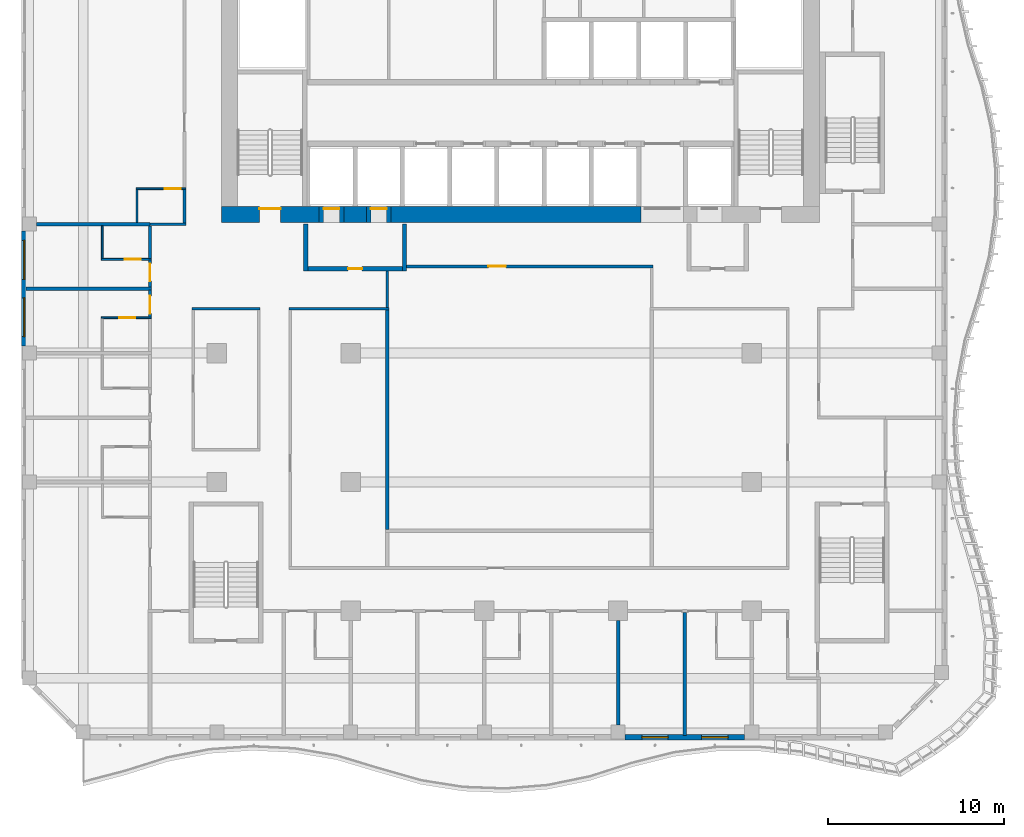
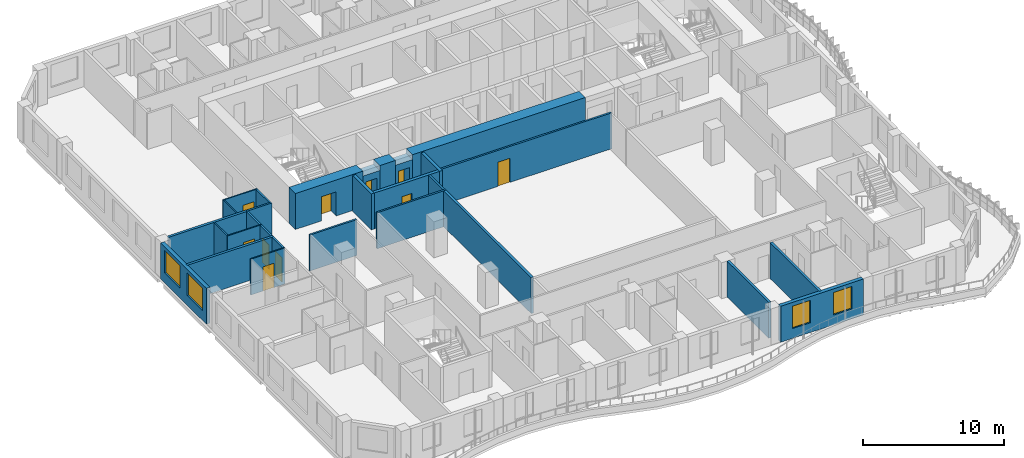
# One storey, part 4 of 23: 29 walls, 10 doors, 4 windows, 14 openings.
"""IFC4 building model written with IfcOpenShell, lengths in metres."""

from ifc_helpers import new_model, si_unit, direction, frame, frame_2d, origin, place, context, subcontext, project, spatial, rectangle, extrude, source, transform, mapped, material, layer, layer_set, type_object, element, fill, save


model = new_model("IFC4")

# Units and contexts
model_context = context("Model", 3, precision=1e-05, world=origin(), true_north=direction((0.0, 1.0)))
body_context = subcontext(model_context, "Body", "Model", "MODEL_VIEW")
ifc_project = project(units=[si_unit("LENGTHUNIT", "METRE"), si_unit("AREAUNIT", "SQUARE_METRE"), si_unit("VOLUMEUNIT", "CUBIC_METRE"), si_unit("PLANEANGLEUNIT", "RADIAN"), si_unit("MASSUNIT", "GRAM", prefix="KILO")], contexts=[model_context])

# Site, building, storey
site_placement = place(None, origin())
site = spatial("IfcSite", under=ifc_project, at=site_placement, CompositionType="ELEMENT")
building_placement = place(site_placement, origin())
building = spatial("IfcBuilding", under=site, at=building_placement, Name="Kilnfold Tower and Market Hall", CompositionType="ELEMENT")
storey_placement = place(building_placement, frame((0.0, 0.0, 150.699951171875)))
storey = spatial("IfcBuildingStorey", under=building, at=storey_placement, Name="L34", CompositionType="ELEMENT", Elevation=150.699951171875)

# Wall, opening, door
ifc_material_1 = material(Name="Gypsum board on steel studs", Category="steel")
ifc_layer_1 = layer(ifc_material_1, 0.14990234375)
ifc_layer_set_1 = layer_set([ifc_layer_1], Name="Gypsum board on steel studs")
wall_type_1 = type_object("IfcWallType", Name="WALL CORRIDOR 150", PredefinedType="PARTITIONING", material=ifc_layer_set_1)
wall_1_placement = place(storey_placement, frame((-19.958984375, 2.72802734375, 0.0), z_axis=(0.0, 0.0, 1.0), x_axis=(0.0, 1.0, 0.0)))
wall_1 = element("IfcWall", 1, at=wall_1_placement, inside=storey, type_object=wall_type_1, Name="Partition LY22.16", PredefinedType="PARTITIONING", context=body_context, shape_type="SweptSolid", body=[
    extrude(rectangle(XDim=1.52587890625, YDim=0.14990234375, at=frame_2d((0.762939453125, 0.0))), origin(), (0.0, 0.0, 1.0), 3.1201171875),
])
opening_1_placement = place(wall_1_placement, frame((0.199951171875, 0.0, 0.0)))
opening_1 = element("IfcOpeningElement", 2, at=opening_1_placement, cuts=wall_1, Name="Opening D1", PredefinedType="OPENING", context=body_context, shape_type="SweptSolid", body=[
    extrude(rectangle(XDim=1.0, YDim=2.10009765625, at=frame_2d((0.5, 1.050048828125))), frame((0.0, 0.0849609375, 0.0), z_axis=(0.0, -1.0, 0.0), x_axis=(1.0, 0.0, 0.0)), (0.0, 0.0, 1.0), 0.169921875),
])
ifc_material_2 = material(Name="Timber veneer door leaf in steel frame", Category="steel")
door_type_1 = type_object("IfcDoorType", Name="DOOR ENTRY 1000 X2100", OperationType="NOTDEFINED", PredefinedType="DOOR", material=ifc_material_2)
door_1_placement = place(opening_1_placement, origin())
door_1 = element("IfcDoor", 3, at=door_1_placement, inside=storey, type_object=door_type_1, Name="Door D1", OperationType="SINGLE_SWING_RIGHT", OverallHeight=2.10009765625, OverallWidth=1.0, PredefinedType="DOOR", context=body_context, shape_type="SweptSolid", body=[
    extrude(rectangle(XDim=1.0, YDim=2.10009765625, at=frame_2d((0.5, 1.050048828125))), frame((0.0, 0.02490234375, 0.0), z_axis=(0.0, -1.0, 0.0), x_axis=(1.0, 0.0, 0.0)), (0.0, 0.0, 1.0), 0.050048828125),
])
fill(opening_1, door_1)

wall_2_placement = place(storey_placement, frame((-19.958984375, 4.43408203125, 0.0), z_axis=(0.0, 0.0, 1.0), x_axis=(0.0, 1.0, 0.0)))
wall_2 = element("IfcWall", 4, at=wall_2_placement, inside=storey, type_object=wall_type_1, Name="Partition LY22.18", PredefinedType="PARTITIONING", context=body_context, shape_type="SweptSolid", body=[
    extrude(rectangle(XDim=1.52587890625, YDim=0.14990234375, at=frame_2d((0.762939453125, 0.0))), origin(), (0.0, 0.0, 1.0), 3.1201171875),
])
opening_2_placement = place(wall_2_placement, frame((0.325927734375, 0.0, 0.0)))
opening_2 = element("IfcOpeningElement", 5, at=opening_2_placement, cuts=wall_2, Name="Opening D1", PredefinedType="OPENING", context=body_context, shape_type="SweptSolid", body=[
    extrude(rectangle(XDim=1.0, YDim=2.10009765625, at=frame_2d((0.5, 1.050048828125))), frame((0.0, 0.0849609375, 0.0), z_axis=(0.0, -1.0, 0.0), x_axis=(1.0, 0.0, 0.0)), (0.0, 0.0, 1.0), 0.169921875),
])
door_2_placement = place(opening_2_placement, origin())
door_2 = element("IfcDoor", 6, at=door_2_placement, inside=storey, type_object=door_type_1, Name="Door D1", OperationType="SINGLE_SWING_LEFT", OverallHeight=2.10009765625, OverallWidth=1.0, PredefinedType="DOOR", context=body_context, shape_type="SweptSolid", body=[
    extrude(rectangle(XDim=1.0, YDim=2.10009765625, at=frame_2d((0.5, 1.050048828125))), frame((0.0, 0.02490234375, 0.0), z_axis=(0.0, -1.0, 0.0), x_axis=(1.0, 0.0, 0.0)), (0.0, 0.0, 1.0), 0.050048828125),
])
fill(opening_2, door_2)

# Walls
wall_3_placement = place(storey_placement, frame((-19.958984375, 6.0400390625, 0.0), z_axis=(0.0, 0.0, 1.0), x_axis=(0.0, 1.0, 0.0)))
element("IfcWall", 7, at=wall_3_placement, inside=storey, type_object=wall_type_1, Name="Partition LY22.19", PredefinedType="PARTITIONING", context=body_context, shape_type="SweptSolid", body=[
    extrude(rectangle(XDim=1.85986328125, YDim=0.14990234375, at=frame_2d((0.929931640625, 0.0))), origin(), (0.0, 0.0, 1.0), 3.1201171875),
])
wall_4_placement = place(storey_placement, frame((-17.925048828125, 8.0, 0.0), z_axis=(0.0, 0.0, 1.0), x_axis=(-1.0, 0.0, 0.0)))
element("IfcWall", 8, at=wall_4_placement, inside=storey, type_object=wall_type_1, Name="Partition LY22.23", PredefinedType="PARTITIONING", context=body_context, shape_type="SweptSolid", body=[
    extrude(rectangle(XDim=2.033935546875, YDim=0.14990234375, at=frame_2d((1.01708984375, 0.0))), origin(), (0.0, 0.0, 1.0), 3.1201171875),
])
wall_5_placement = place(storey_placement, frame((-18.0, 8.074951171875, 0.0), z_axis=(0.0, 0.0, 1.0), x_axis=(0.0, 1.0, 0.0)))
element("IfcWall", 9, at=wall_5_placement, inside=storey, type_object=wall_type_1, Name="Partition LY22.24", PredefinedType="PARTITIONING", context=body_context, shape_type="SweptSolid", body=[
    extrude(rectangle(XDim=1.885009765625, YDim=0.14990234375, at=frame_2d((0.9423828125, 0.0))), origin(), (0.0, 0.0, 1.0), 3.1201171875),
])
wall_6_placement = place(storey_placement, frame((-12.074951171875, 3.199951171875, 0.0), z_axis=(0.0, 0.0, 1.0), x_axis=(1.0, 0.0, 0.0)))
element("IfcWall", 10, at=wall_6_placement, inside=storey, type_object=wall_type_1, Name="Partition LY22.36", PredefinedType="PARTITIONING", context=body_context, shape_type="SweptSolid", body=[
    extrude(rectangle(XDim=5.675048828125, YDim=0.14990234375, at=frame_2d((2.83740234375, 0.0))), origin(), (0.0, 0.0, 1.0), 3.1201171875),
])
wall_7_placement = place(storey_placement, frame((-17.574951171875, 3.199951171875, 0.0), z_axis=(0.0, 0.0, 1.0), x_axis=(1.0, 0.0, 0.0)))
element("IfcWall", 11, at=wall_7_placement, inside=storey, type_object=wall_type_1, Name="Partition LY22.39", PredefinedType="PARTITIONING", context=body_context, shape_type="SweptSolid", body=[
    extrude(rectangle(XDim=3.849853515625, YDim=0.14990234375, at=frame_2d((1.9248046875, 0.0))), origin(), (0.0, 0.0, 1.0), 3.1201171875),
])
wall_8_placement = place(storey_placement, frame((-6.5, 3.27490234375, 0.0), z_axis=(0.0, 0.0, 1.0), x_axis=(0.0, 1.0, 0.0)))
element("IfcWall", 12, at=wall_8_placement, inside=storey, type_object=wall_type_1, Name="Partition LY22.45", PredefinedType="PARTITIONING", context=body_context, shape_type="SweptSolid", body=[
    extrude(rectangle(XDim=2.0751953125, YDim=0.14990234375, at=frame_2d((1.03759765625, 0.0))), origin(), (0.0, 0.0, 1.0), 3.1201171875),
])

# Wall, opening, door
wall_9_placement = place(storey_placement, frame((-5.39990234375, 5.60009765625, 0.0), z_axis=(0.0, 0.0, 1.0), x_axis=(1.0, 0.0, 0.0)))
wall_9 = element("IfcWall", 13, at=wall_9_placement, inside=storey, type_object=wall_type_1, Name="Partition LY22.47", PredefinedType="PARTITIONING", context=body_context, shape_type="SweptSolid", body=[
    extrude(rectangle(XDim=13.974853515625, YDim=0.14990234375, at=frame_2d((6.9873046875, 0.0))), origin(), (0.0, 0.0, 1.0), 3.1201171875),
])
opening_3_placement = place(wall_9_placement, frame((4.6259765625, 0.0, 0.0)))
opening_3 = element("IfcOpeningElement", 14, at=opening_3_placement, cuts=wall_9, Name="Opening D1", PredefinedType="OPENING", context=body_context, shape_type="SweptSolid", body=[
    extrude(rectangle(XDim=1.0, YDim=2.10009765625, at=frame_2d((0.5, 1.050048828125))), frame((0.0, 0.0849609375, 0.0), z_axis=(0.0, -1.0, 0.0), x_axis=(1.0, 0.0, 0.0)), (0.0, 0.0, 1.0), 0.169921875),
])
door_3_placement = place(opening_3_placement, origin())
door_3 = element("IfcDoor", 15, at=door_3_placement, inside=storey, type_object=door_type_1, Name="Door D1", OperationType="SINGLE_SWING_RIGHT", OverallHeight=2.10009765625, OverallWidth=1.0, PredefinedType="DOOR", context=body_context, shape_type="SweptSolid", body=[
    extrude(rectangle(XDim=1.0, YDim=2.10009765625, at=frame_2d((0.5, 1.050048828125))), frame((0.0, 0.02490234375, 0.0), z_axis=(0.0, -1.0, 0.0), x_axis=(1.0, 0.0, 0.0)), (0.0, 0.0, 1.0), 0.050048828125),
])
fill(opening_3, door_3)

ifc_material_3 = material(Name="Gypsum board on steel studs", Category="steel")
ifc_layer_2 = layer(ifc_material_3, 0.10009765625)
ifc_layer_set_2 = layer_set([ifc_layer_2], Name="Gypsum board on steel studs")
wall_type_2 = type_object("IfcWallType", Name="WALL PARTITION 100", PredefinedType="PARTITIONING", material=ifc_layer_set_2)
wall_10_placement = place(storey_placement, frame((-22.7109375, 2.68798828125, 0.0), z_axis=(0.0, 0.0, 1.0), x_axis=(1.0, 0.0, 0.0)))
wall_10 = element("IfcWall", 16, at=wall_10_placement, inside=storey, type_object=wall_type_2, Name="Partition LY22.77", PredefinedType="PARTITIONING", context=body_context, shape_type="SweptSolid", body=[
    extrude(rectangle(XDim=2.824951171875, YDim=0.10009765625, at=frame_2d((1.41259765625, 0.0))), origin(), (0.0, 0.0, 1.0), 3.1201171875),
])
opening_4_placement = place(wall_10_placement, frame((1.012939453125, 0.0, 0.0)))
opening_4 = element("IfcOpeningElement", 17, at=opening_4_placement, cuts=wall_10, Name="Opening D3", PredefinedType="OPENING", context=body_context, shape_type="SweptSolid", body=[
    extrude(rectangle(XDim=0.89990234375, YDim=2.10009765625, at=frame_2d((0.449951171875, 1.050048828125))), frame((0.0, 0.06005859375, 0.0), z_axis=(0.0, -1.0, 0.0), x_axis=(1.0, 0.0, 0.0)), (0.0, 0.0, 1.0), 0.1201171875),
])
ifc_material_4 = material(Name="Timber veneer door leaf in steel frame", Category="steel")
door_type_2 = type_object("IfcDoorType", Name="DOOR WC 900 X2100", OperationType="NOTDEFINED", PredefinedType="DOOR", material=ifc_material_4)
door_4_placement = place(opening_4_placement, origin())
door_4 = element("IfcDoor", 18, at=door_4_placement, inside=storey, type_object=door_type_2, Name="Door D3", OperationType="SINGLE_SWING_LEFT", OverallHeight=2.10009765625, OverallWidth=0.89990234375, PredefinedType="DOOR", context=body_context, shape_type="SweptSolid", body=[
    extrude(rectangle(XDim=0.89990234375, YDim=2.10009765625, at=frame_2d((0.449951171875, 1.050048828125))), frame((0.0, 0.02490234375, 0.0), z_axis=(0.0, -1.0, 0.0), x_axis=(1.0, 0.0, 0.0)), (0.0, 0.0, 1.0), 0.050048828125),
])
fill(opening_4, door_4)

wall_11_placement = place(storey_placement, frame((-19.885986328125, 6.0, 0.0), z_axis=(0.0, 0.0, 1.0), x_axis=(-1.0, 0.0, 0.0)))
wall_11 = element("IfcWall", 19, at=wall_11_placement, inside=storey, type_object=wall_type_2, Name="Partition LY22.80", PredefinedType="PARTITIONING", context=body_context, shape_type="SweptSolid", body=[
    extrude(rectangle(XDim=2.824951171875, YDim=0.10009765625, at=frame_2d((1.41259765625, 0.0))), origin(), (0.0, 0.0, 1.0), 3.1201171875),
])
opening_5_placement = place(wall_11_placement, frame((0.60693359375, 0.0, 0.0)))
opening_5 = element("IfcOpeningElement", 20, at=opening_5_placement, cuts=wall_11, Name="Opening D3", PredefinedType="OPENING", context=body_context, shape_type="SweptSolid", body=[
    extrude(rectangle(XDim=0.89990234375, YDim=2.10009765625, at=frame_2d((0.449951171875, 1.050048828125))), frame((0.0, 0.06005859375, 0.0), z_axis=(0.0, -1.0, 0.0), x_axis=(1.0, 0.0, 0.0)), (0.0, 0.0, 1.0), 0.1201171875),
])
door_5_placement = place(opening_5_placement, origin())
door_5 = element("IfcDoor", 21, at=door_5_placement, inside=storey, type_object=door_type_2, Name="Door D3", OperationType="SINGLE_SWING_LEFT", OverallHeight=2.10009765625, OverallWidth=0.89990234375, PredefinedType="DOOR", context=body_context, shape_type="SweptSolid", body=[
    extrude(rectangle(XDim=0.89990234375, YDim=2.10009765625, at=frame_2d((0.449951171875, 1.050048828125))), frame((0.0, 0.02490234375, 0.0), z_axis=(0.0, -1.0, 0.0), x_axis=(1.0, 0.0, 0.0)), (0.0, 0.0, 1.0), 0.050048828125),
])
fill(opening_5, door_5)

# Wall
wall_12_placement = place(storey_placement, frame((-22.660888671875, 6.050048828125, 0.0), z_axis=(0.0, 0.0, 1.0), x_axis=(0.0, 1.0, 0.0)))
element("IfcWall", 22, at=wall_12_placement, inside=storey, type_object=wall_type_2, Name="Partition LY22.81", PredefinedType="PARTITIONING", context=body_context, shape_type="SweptSolid", body=[
    extrude(rectangle(XDim=1.849853515625, YDim=0.10009765625, at=frame_2d((0.9248046875, 0.0))), origin(), (0.0, 0.0, 1.0), 3.1201171875),
])

# Wall, opening, door
wall_13_placement = place(storey_placement, frame((-20.751953125, 10.0, 0.0), z_axis=(0.0, 0.0, 1.0), x_axis=(1.0, 0.0, 0.0)))
wall_13 = element("IfcWall", 23, at=wall_13_placement, inside=storey, type_object=wall_type_2, Name="Partition LY22.83", PredefinedType="PARTITIONING", context=body_context, shape_type="SweptSolid", body=[
    extrude(rectangle(XDim=2.824951171875, YDim=0.10009765625, at=frame_2d((1.41259765625, 0.0))), origin(), (0.0, 0.0, 1.0), 3.1201171875),
])
opening_6_placement = place(wall_13_placement, frame((1.623046875, 0.0, 0.0)))
opening_6 = element("IfcOpeningElement", 24, at=opening_6_placement, cuts=wall_13, Name="Opening D3", PredefinedType="OPENING", context=body_context, shape_type="SweptSolid", body=[
    extrude(rectangle(XDim=0.89990234375, YDim=2.10009765625, at=frame_2d((0.449951171875, 1.050048828125))), frame((0.0, 0.06005859375, 0.0), z_axis=(0.0, -1.0, 0.0), x_axis=(1.0, 0.0, 0.0)), (0.0, 0.0, 1.0), 0.1201171875),
])
door_6_placement = place(opening_6_placement, origin())
door_6 = element("IfcDoor", 25, at=door_6_placement, inside=storey, type_object=door_type_2, Name="Door D3", OperationType="SINGLE_SWING_LEFT", OverallHeight=2.10009765625, OverallWidth=0.89990234375, PredefinedType="DOOR", context=body_context, shape_type="SweptSolid", body=[
    extrude(rectangle(XDim=0.89990234375, YDim=2.10009765625, at=frame_2d((0.449951171875, 1.050048828125))), frame((0.0, 0.02490234375, 0.0), z_axis=(0.0, -1.0, 0.0), x_axis=(1.0, 0.0, 0.0)), (0.0, 0.0, 1.0), 0.050048828125),
])
fill(opening_6, door_6)

# Walls
wall_14_placement = place(storey_placement, frame((-20.701904296875, 8.10009765625, 0.0), z_axis=(0.0, 0.0, 1.0), x_axis=(0.0, 1.0, 0.0)))
element("IfcWall", 26, at=wall_14_placement, inside=storey, type_object=wall_type_2, Name="Partition LY22.84", PredefinedType="PARTITIONING", context=body_context, shape_type="SweptSolid", body=[
    extrude(rectangle(XDim=1.849853515625, YDim=0.10009765625, at=frame_2d((0.9248046875, 0.0))), origin(), (0.0, 0.0, 1.0), 3.1201171875),
])
ifc_material_5 = material(Name="Gypsum board on steel studs", Category="steel")
ifc_layer_3 = layer(ifc_material_5, 0.199951171875)
ifc_layer_set_3 = layer_set([ifc_layer_3], Name="Gypsum board on steel studs")
wall_type_3 = type_object("IfcWallType", Name="WALL PARTY 200", PredefinedType="PARTITIONING", material=ifc_layer_set_3)
wall_15_placement = place(storey_placement, frame((6.5830078125, -20.39990234375, 0.0), z_axis=(0.0, 0.0, 1.0), x_axis=(0.0, 1.0, 0.0)))
element("IfcWall", 27, at=wall_15_placement, inside=storey, type_object=wall_type_3, Name="Partition LY22.60", PredefinedType="PARTITIONING", context=body_context, shape_type="SweptSolid", body=[
    extrude(rectangle(XDim=5.911865234375, YDim=0.199951171875, at=frame_2d((2.9560546875, 0.0))), origin(), (0.0, 0.0, 1.0), 3.1201171875),
])
wall_16_placement = place(storey_placement, frame((10.375, -21.0, 0.0), z_axis=(0.0, 0.0, 1.0), x_axis=(0.0, 1.0, 0.0)))
element("IfcWall", 28, at=wall_16_placement, inside=storey, type_object=wall_type_3, Name="Partition LY22.61", PredefinedType="PARTITIONING", context=body_context, shape_type="SweptSolid", body=[
    extrude(rectangle(XDim=6.985107421875, YDim=0.199951171875, at=frame_2d((3.49267578125, 0.0))), origin(), (0.0, 0.0, 1.0), 3.1201171875),
])
wall_17_placement = place(storey_placement, frame((-27.0, 4.343994140625, 0.0), z_axis=(0.0, 0.0, 1.0), x_axis=(1.0, 0.0, 0.0)))
element("IfcWall", 29, at=wall_17_placement, inside=storey, type_object=wall_type_3, Name="Partition LY22.79", PredefinedType="PARTITIONING", context=body_context, shape_type="SweptSolid", body=[
    extrude(rectangle(XDim=7.114013671875, YDim=0.199951171875, at=frame_2d((3.55712890625, 0.0))), origin(), (0.0, 0.0, 1.0), 3.1201171875),
])
wall_18_placement = place(storey_placement, frame((-26.39990234375, 8.0, 0.0), z_axis=(0.0, 0.0, 1.0), x_axis=(1.0, 0.0, 0.0)))
element("IfcWall", 30, at=wall_18_placement, inside=storey, type_object=wall_type_3, Name="Partition LY22.82", PredefinedType="PARTITIONING", context=body_context, shape_type="SweptSolid", body=[
    extrude(rectangle(XDim=6.43896484375, YDim=0.199951171875, at=frame_2d((3.219482421875, 0.0))), origin(), (0.0, 0.0, 1.0), 3.1201171875),
])
wall_19_placement = place(storey_placement, frame((-6.5, -9.31005859375, 0.0), z_axis=(0.0, 0.0, 1.0), x_axis=(0.0, 1.0, 0.0)))
element("IfcWall", 31, at=wall_19_placement, inside=storey, type_object=wall_type_3, Name="Partition LY22.130", PredefinedType="PARTITIONING", context=body_context, shape_type="SweptSolid", body=[
    extrude(rectangle(XDim=12.43310546875, YDim=0.199951171875, at=frame_2d((6.216552734375, 0.0))), origin(), (0.0, 0.0, 1.0), 3.1201171875),
])

# Wall, opening, door
ifc_material_6 = material(Name="Concrete C70", Category="concrete")
ifc_layer_4 = layer(ifc_material_6, 0.89990234375)
ifc_layer_set_4 = layer_set([ifc_layer_4], Name="Concrete C70")
wall_type_4 = type_object("IfcWallType", Name="CORE WALL 900 C70", PredefinedType="SHEAR", material=ifc_layer_set_4)
shared_shape_1 = source(origin(), body_context, "Body", "SweptSolid", [
    extrude(rectangle(XDim=5.52978515625, YDim=0.89990234375, at=frame_2d((2.764892578125, 0.0))), origin(), (0.0, 0.0, 1.0), 3.1201171875),
])
wall_20_placement = place(storey_placement, frame((-15.89990234375, 8.550048828125, 0.0), z_axis=(0.0, 0.0, 1.0), x_axis=(1.0, 0.0, 0.0)))
wall_20 = element("IfcWall", 32, at=wall_20_placement, inside=storey, type_object=wall_type_4, Name="Core outer wall south", PredefinedType="SHEAR", context=body_context, shape_type="MappedRepresentation", body=[
    mapped(shared_shape_1, transform((0.0, 0.0, 0.0))),
])
opening_7_placement = place(wall_20_placement, frame((2.14990234375, 0.0, 0.0)))
opening_7 = element("IfcOpeningElement", 33, at=opening_7_placement, cuts=wall_20, Name="Opening SD1", PredefinedType="OPENING", context=body_context, shape_type="SweptSolid", body=[
    extrude(rectangle(XDim=1.199951171875, YDim=2.10009765625, at=frame_2d((0.60009765625, 1.050048828125))), frame((0.0, 0.4599609375, 0.0), z_axis=(0.0, -1.0, 0.0), x_axis=(1.0, 0.0, 0.0)), (0.0, 0.0, 1.0), 0.919921875),
])
ifc_material_7 = material(Name="Steel door set with fire-resisting leaf", Category="steel")
door_type_3 = type_object("IfcDoorType", Name="STAIR FLOOR DOOR 1200X2100", OperationType="NOTDEFINED", PredefinedType="DOOR", material=ifc_material_7)
door_7_placement = place(opening_7_placement, origin())
door_7 = element("IfcDoor", 34, at=door_7_placement, inside=storey, type_object=door_type_3, Name="Exit stair ST1 door", OperationType="DOUBLE_DOOR_SINGLE_SWING", OverallHeight=2.10009765625, OverallWidth=1.199951171875, PredefinedType="DOOR", context=body_context, shape_type="SweptSolid", body=[
    extrude(rectangle(XDim=1.199951171875, YDim=2.10009765625, at=frame_2d((0.60009765625, 1.050048828125))), frame((0.0, 0.35498046875, 0.0), z_axis=(0.0, -1.0, 0.0), x_axis=(1.0, 0.0, 0.0)), (0.0, 0.0, 1.0), 0.050048828125),
])
fill(opening_7, door_7)

# Walls
shared_shape_2 = source(origin(), body_context, "Body", "SweptSolid", [
    extrude(rectangle(XDim=1.280029296875, YDim=0.89990234375, at=frame_2d((0.64013671875, 0.0))), origin(), (0.0, 0.0, 1.0), 3.1201171875),
])
wall_21_placement = place(storey_placement, frame((-8.969970703125, 8.550048828125, 0.0), z_axis=(0.0, 0.0, 1.0), x_axis=(1.0, 0.0, 0.0)))
element("IfcWall", 35, at=wall_21_placement, inside=storey, type_object=wall_type_4, Name="Core outer wall south", PredefinedType="SHEAR", context=body_context, shape_type="MappedRepresentation", body=[
    mapped(shared_shape_2, transform((0.0, 0.0, 0.0))),
])
shared_shape_3 = source(origin(), body_context, "Body", "SweptSolid", [
    extrude(rectangle(XDim=14.179931640625, YDim=0.89990234375, at=frame_2d((7.08984375, 0.0))), origin(), (0.0, 0.0, 1.0), 3.1201171875),
])
wall_22_placement = place(storey_placement, frame((-6.2900390625, 8.550048828125, 0.0), z_axis=(0.0, 0.0, 1.0), x_axis=(1.0, 0.0, 0.0)))
element("IfcWall", 36, at=wall_22_placement, inside=storey, type_object=wall_type_4, Name="Core outer wall south", PredefinedType="SHEAR", context=body_context, shape_type="MappedRepresentation", body=[
    mapped(shared_shape_3, transform((0.0, 0.0, 0.0))),
])

# Wall, openings, windows
ifc_material_8 = material(Name="Precast concrete C50/60", Category="concrete")
ifc_layer_5 = layer(ifc_material_8, 0.300048828125)
ifc_layer_set_5 = layer_set([ifc_layer_5], Name="Precast concrete C50/60")
wall_type_5 = type_object("IfcWallType", Name="PRECAST WALL 300", PredefinedType="SOLIDWALL", material=ifc_layer_set_5)
shared_shape_4 = source(origin(), body_context, "Body", "SweptSolid", [
    extrude(rectangle(XDim=6.783203125, YDim=0.300048828125, at=frame_2d((3.3916015625, 0.0))), origin(), (0.0, 0.0, 1.0), 3.1201171875),
])
wall_23_placement = place(storey_placement, frame((6.9833984375, -21.10009765625, 0.0), z_axis=(0.0, 0.0, 1.0), x_axis=(1.0, 0.0, 0.0)))
wall_23 = element("IfcWall", 37, at=wall_23_placement, inside=storey, type_object=wall_type_5, Name="External wall L34 S", PredefinedType="SOLIDWALL", context=body_context, shape_type="MappedRepresentation", body=[
    mapped(shared_shape_4, transform((0.0, 0.0, 0.0))),
])
opening_8_placement = place(wall_23_placement, frame((0.94580078125, 0.0, 0.85009765625)))
opening_8 = element("IfcOpeningElement", 38, at=opening_8_placement, cuts=wall_23, Name="Opening W4", PredefinedType="OPENING", context=body_context, shape_type="SweptSolid", body=[
    extrude(rectangle(XDim=1.5, YDim=1.949951171875, at=frame_2d((0.75, 0.97509765625))), frame((0.0, 0.16015625, 0.0), z_axis=(0.0, -1.0, 0.0), x_axis=(1.0, 0.0, 0.0)), (0.0, 0.0, 1.0), 0.320068359375),
])
opening_9_placement = place(wall_23_placement, frame((4.337646484375, 0.0, 0.85009765625)))
opening_9 = element("IfcOpeningElement", 39, at=opening_9_placement, cuts=wall_23, Name="Opening W4", PredefinedType="OPENING", context=body_context, shape_type="SweptSolid", body=[
    extrude(rectangle(XDim=1.5, YDim=1.949951171875, at=frame_2d((0.75, 0.97509765625))), frame((0.0, 0.16015625, 0.0), z_axis=(0.0, -1.0, 0.0), x_axis=(1.0, 0.0, 0.0)), (0.0, 0.0, 1.0), 0.320068359375),
])
ifc_material_9 = material(Name="Aluminium frame and double glazing", Category="aluminium")
window_type_1 = type_object("IfcWindowType", Name="WINDOW W4 1500X1950", PartitioningType="SINGLE_PANEL", PredefinedType="WINDOW", material=ifc_material_9)
window_1_placement = place(opening_8_placement, origin())
window_1 = element("IfcWindow", 40, at=window_1_placement, inside=storey, type_object=window_type_1, Name="Window W4 L34 S-1", OverallHeight=1.949951171875, OverallWidth=1.5, PartitioningType="SINGLE_PANEL", PredefinedType="WINDOW", context=body_context, shape_type="SweptSolid", body=[
    extrude(rectangle(XDim=1.5, YDim=1.949951171875, at=frame_2d((0.75, 0.97509765625))), frame((0.0, 0.030029296875, 0.0), z_axis=(0.0, -1.0, 0.0), x_axis=(1.0, 0.0, 0.0)), (0.0, 0.0, 1.0), 0.06005859375),
])
fill(opening_8, window_1)
window_2_placement = place(opening_9_placement, origin())
window_2 = element("IfcWindow", 41, at=window_2_placement, inside=storey, type_object=window_type_1, Name="Window W4 L34 S-2", OverallHeight=1.949951171875, OverallWidth=1.5, PartitioningType="SINGLE_PANEL", PredefinedType="WINDOW", context=body_context, shape_type="SweptSolid", body=[
    extrude(rectangle(XDim=1.5, YDim=1.949951171875, at=frame_2d((0.75, 0.97509765625))), frame((0.0, 0.030029296875, 0.0), z_axis=(0.0, -1.0, 0.0), x_axis=(1.0, 0.0, 0.0)), (0.0, 0.0, 1.0), 0.06005859375),
])
fill(opening_9, window_2)

shared_shape_5 = source(origin(), body_context, "Body", "SweptSolid", [
    extrude(rectangle(XDim=6.5126953125, YDim=0.300048828125, at=frame_2d((3.25634765625, 0.0))), origin(), (0.0, 0.0, 1.0), 3.1201171875),
])
wall_24_placement = place(storey_placement, frame((-27.10009765625, 7.60009765625, 0.0), z_axis=(0.0, 0.0, 1.0), x_axis=(0.0, -1.0, 0.0)))
wall_24 = element("IfcWall", 42, at=wall_24_placement, inside=storey, type_object=wall_type_5, Name="External wall L34 W", PredefinedType="SOLIDWALL", context=body_context, shape_type="MappedRepresentation", body=[
    mapped(shared_shape_5, transform((0.0, 0.0, 0.0))),
])
opening_10_placement = place(wall_24_placement, frame((0.528076171875, 0.0, 0.85009765625)))
opening_10 = element("IfcOpeningElement", 43, at=opening_10_placement, cuts=wall_24, Name="Opening W2", PredefinedType="OPENING", context=body_context, shape_type="SweptSolid", body=[
    extrude(rectangle(XDim=2.199951171875, YDim=1.949951171875, at=frame_2d((1.10009765625, 0.97509765625))), frame((0.0, 0.16015625, 0.0), z_axis=(0.0, -1.0, 0.0), x_axis=(1.0, 0.0, 0.0)), (0.0, 0.0, 1.0), 0.320068359375),
])
opening_11_placement = place(wall_24_placement, frame((3.784423828125, 0.0, 0.85009765625)))
opening_11 = element("IfcOpeningElement", 44, at=opening_11_placement, cuts=wall_24, Name="Opening W2", PredefinedType="OPENING", context=body_context, shape_type="SweptSolid", body=[
    extrude(rectangle(XDim=2.199951171875, YDim=1.949951171875, at=frame_2d((1.10009765625, 0.97509765625))), frame((0.0, 0.16015625, 0.0), z_axis=(0.0, -1.0, 0.0), x_axis=(1.0, 0.0, 0.0)), (0.0, 0.0, 1.0), 0.320068359375),
])
ifc_material_10 = material(Name="Aluminium frame and double glazing", Category="aluminium")
window_type_2 = type_object("IfcWindowType", Name="WINDOW W2 2200X1950", PartitioningType="SINGLE_PANEL", PredefinedType="WINDOW", material=ifc_material_10)
window_3_placement = place(opening_10_placement, origin())
window_3 = element("IfcWindow", 45, at=window_3_placement, inside=storey, type_object=window_type_2, Name="Window W2 L34 W-1", OverallHeight=1.949951171875, OverallWidth=2.199951171875, PartitioningType="SINGLE_PANEL", PredefinedType="WINDOW", context=body_context, shape_type="SweptSolid", body=[
    extrude(rectangle(XDim=2.199951171875, YDim=1.949951171875, at=frame_2d((1.10009765625, 0.97509765625))), frame((0.0, 0.030029296875, 0.0), z_axis=(0.0, -1.0, 0.0), x_axis=(1.0, 0.0, 0.0)), (0.0, 0.0, 1.0), 0.06005859375),
])
fill(opening_10, window_3)
window_4_placement = place(opening_11_placement, origin())
window_4 = element("IfcWindow", 46, at=window_4_placement, inside=storey, type_object=window_type_2, Name="Window W2 L34 W-2", OverallHeight=1.949951171875, OverallWidth=2.199951171875, PartitioningType="SINGLE_PANEL", PredefinedType="WINDOW", context=body_context, shape_type="SweptSolid", body=[
    extrude(rectangle(XDim=2.199951171875, YDim=1.949951171875, at=frame_2d((1.10009765625, 0.97509765625))), frame((0.0, 0.030029296875, 0.0), z_axis=(0.0, -1.0, 0.0), x_axis=(1.0, 0.0, 0.0)), (0.0, 0.0, 1.0), 0.06005859375),
])
fill(opening_11, window_4)

# Wall, opening, door
ifc_material_11 = material(Name="Gypsum shaft wall system")
ifc_layer_6 = layer(ifc_material_11, 0.89990234375)
ifc_layer_set_6 = layer_set([ifc_layer_6], Name="Gypsum shaft wall system")
wall_type_6 = type_object("IfcWallType", Name="LOBBY WALL 900", PredefinedType="PARTITIONING", material=ifc_layer_set_6)
shared_shape_6 = source(origin(), body_context, "Body", "SweptSolid", [
    extrude(rectangle(XDim=1.400146484375, YDim=0.89990234375, at=frame_2d((0.7001953125, 0.0))), origin(), (0.0, 0.0, 1.0), 2.699951171875),
])
wall_25_placement = place(storey_placement, frame((-10.3701171875, 8.550048828125, 0.0), z_axis=(0.0, 0.0, 1.0), x_axis=(1.0, 0.0, 0.0)))
wall_25 = element("IfcWall", 47, at=wall_25_placement, inside=storey, type_object=wall_type_6, Name="Core wall infill", PredefinedType="PARTITIONING", context=body_context, shape_type="MappedRepresentation", body=[
    mapped(shared_shape_6, transform((0.0, 0.0, 0.0))),
])
opening_12_placement = place(wall_25_placement, frame((0.25, 0.0, 0.0)))
opening_12 = element("IfcOpeningElement", 48, at=opening_12_placement, cuts=wall_25, Name="Opening LD1", PredefinedType="OPENING", context=body_context, shape_type="SweptSolid", body=[
    extrude(rectangle(XDim=0.89990234375, YDim=2.10009765625, at=frame_2d((0.449951171875, 1.050048828125))), frame((0.0, 0.4599609375, 0.0), z_axis=(0.0, -1.0, 0.0), x_axis=(1.0, 0.0, 0.0)), (0.0, 0.0, 1.0), 0.919921875),
])
ifc_material_12 = material(Name="Steel door set with fire-resisting leaf", Category="steel")
door_type_4 = type_object("IfcDoorType", Name="FIREFIGHTING LANDING DOOR 900X2100", OperationType="NOTDEFINED", PredefinedType="DOOR", material=ifc_material_12)
door_8_placement = place(opening_12_placement, origin())
door_8 = element("IfcDoor", 49, at=door_8_placement, inside=storey, type_object=door_type_4, Name="Landing door FF1", OperationType="SLIDING_TO_LEFT", OverallHeight=2.10009765625, OverallWidth=0.89990234375, PredefinedType="DOOR", context=body_context, shape_type="SweptSolid", body=[
    extrude(rectangle(XDim=0.89990234375, YDim=2.10009765625, at=frame_2d((0.449951171875, 1.050048828125))), frame((0.0, 0.35498046875, 0.0), z_axis=(0.0, -1.0, 0.0), x_axis=(1.0, 0.0, 0.0)), (0.0, 0.0, 1.0), 0.050048828125),
])
fill(opening_12, door_8)

shared_shape_7 = source(origin(), body_context, "Body", "SweptSolid", [
    extrude(rectangle(XDim=1.39990234375, YDim=0.89990234375, at=frame_2d((0.699951171875, 0.0))), origin(), (0.0, 0.0, 1.0), 2.699951171875),
])
wall_26_placement = place(storey_placement, frame((-7.68994140625, 8.550048828125, 0.0), z_axis=(0.0, 0.0, 1.0), x_axis=(1.0, 0.0, 0.0)))
wall_26 = element("IfcWall", 50, at=wall_26_placement, inside=storey, type_object=wall_type_6, Name="Core wall infill", PredefinedType="PARTITIONING", context=body_context, shape_type="MappedRepresentation", body=[
    mapped(shared_shape_7, transform((0.0, 0.0, 0.0))),
])
opening_13_placement = place(wall_26_placement, frame((0.25, 0.0, 0.0)))
opening_13 = element("IfcOpeningElement", 51, at=opening_13_placement, cuts=wall_26, Name="Opening LD1", PredefinedType="OPENING", context=body_context, shape_type="SweptSolid", body=[
    extrude(rectangle(XDim=0.89990234375, YDim=2.10009765625, at=frame_2d((0.449951171875, 1.050048828125))), frame((0.0, 0.4599609375, 0.0), z_axis=(0.0, -1.0, 0.0), x_axis=(1.0, 0.0, 0.0)), (0.0, 0.0, 1.0), 0.919921875),
])
door_9_placement = place(opening_13_placement, origin())
door_9 = element("IfcDoor", 52, at=door_9_placement, inside=storey, type_object=door_type_4, Name="Landing door FF2", OperationType="SLIDING_TO_RIGHT", OverallHeight=2.10009765625, OverallWidth=0.89990234375, PredefinedType="DOOR", context=body_context, shape_type="SweptSolid", body=[
    extrude(rectangle(XDim=0.89990234375, YDim=2.10009765625, at=frame_2d((0.449951171875, 1.050048828125))), frame((0.0, 0.35498046875, 0.0), z_axis=(0.0, -1.0, 0.0), x_axis=(1.0, 0.0, 0.0)), (0.0, 0.0, 1.0), 0.050048828125),
])
fill(opening_13, door_9)

# Walls
ifc_material_13 = material(Name="Gypsum shaft wall system")
ifc_layer_7 = layer(ifc_material_13, 0.25)
ifc_layer_set_7 = layer_set([ifc_layer_7], Name="Gypsum shaft wall system")
wall_type_7 = type_object("IfcWallType", Name="LOBBY WALL 250", PredefinedType="PARTITIONING", material=ifc_layer_set_7)
shared_shape_8 = source(origin(), body_context, "Body", "SweptSolid", [
    extrude(rectangle(XDim=2.64990234375, YDim=0.25, at=frame_2d((1.324951171875, 0.0))), origin(), (0.0, 0.0, 1.0), 3.1201171875),
])
for number, where, z_axis, x_axis, name in (
    (53, (-11.135009765625, 5.35009765625, 0.0), (0.0, 0.0, 1.0), (0.0, 1.0, 0.0), "Firefighting lobby wall"),
    (54, (-5.52490234375, 5.35009765625, 0.0), (0.0, 0.0, 1.0), (0.0, 1.0, 0.0), "Firefighting lobby wall"),
):
    element("IfcWall", number, at=place(storey_placement, frame(where, z_axis=z_axis, x_axis=x_axis)), inside=storey, type_object=wall_type_7, Name=name, PredefinedType="PARTITIONING", context=body_context, shape_type="MappedRepresentation", body=[
        mapped(shared_shape_8, transform((0.0, 0.0, 0.0))),
    ])

# Wall, opening, door
shared_shape_9 = source(origin(), body_context, "Body", "SweptSolid", [
    extrude(rectangle(XDim=5.360107421875, YDim=0.25, at=frame_2d((2.68017578125, 0.0))), origin(), (0.0, 0.0, 1.0), 3.1201171875),
])
wall_27_placement = place(storey_placement, frame((-11.010009765625, 5.47509765625, 0.0), z_axis=(0.0, 0.0, 1.0), x_axis=(1.0, 0.0, 0.0)))
wall_27 = element("IfcWall", 55, at=wall_27_placement, inside=storey, type_object=wall_type_7, Name="Firefighting lobby wall", PredefinedType="PARTITIONING", context=body_context, shape_type="MappedRepresentation", body=[
    mapped(shared_shape_9, transform((0.0, 0.0, 0.0))),
])
opening_14_placement = place(wall_27_placement, frame((2.280029296875, 0.0, 0.0)))
opening_14 = element("IfcOpeningElement", 56, at=opening_14_placement, cuts=wall_27, Name="Opening VD1", PredefinedType="OPENING", context=body_context, shape_type="SweptSolid", body=[
    extrude(rectangle(XDim=0.800048828125, YDim=2.0, at=frame_2d((0.39990234375, 1.0))), frame((0.0, 0.135009765625, 0.0), z_axis=(0.0, -1.0, 0.0), x_axis=(1.0, 0.0, 0.0)), (0.0, 0.0, 1.0), 0.27001953125),
])
ifc_material_14 = material(Name="Steel door set with fire-resisting leaf", Category="steel")
door_type_5 = type_object("IfcDoorType", Name="FIREFIGHTING LOBBY DOOR 800X2000", OperationType="NOTDEFINED", PredefinedType="DOOR", material=ifc_material_14)
door_10_placement = place(opening_14_placement, origin())
door_10 = element("IfcDoor", 57, at=door_10_placement, inside=storey, type_object=door_type_5, Name="Firefighting lobby door", OperationType="SINGLE_SWING_LEFT", OverallHeight=2.0, OverallWidth=0.800048828125, PredefinedType="DOOR", context=body_context, shape_type="SweptSolid", body=[
    extrude(rectangle(XDim=0.800048828125, YDim=2.0, at=frame_2d((0.39990234375, 1.0))), frame((0.0, 0.02490234375, 0.0), z_axis=(0.0, -1.0, 0.0), x_axis=(1.0, 0.0, 0.0)), (0.0, 0.0, 1.0), 0.050048828125),
])
fill(opening_14, door_10)

save(model, "model.ifc")
